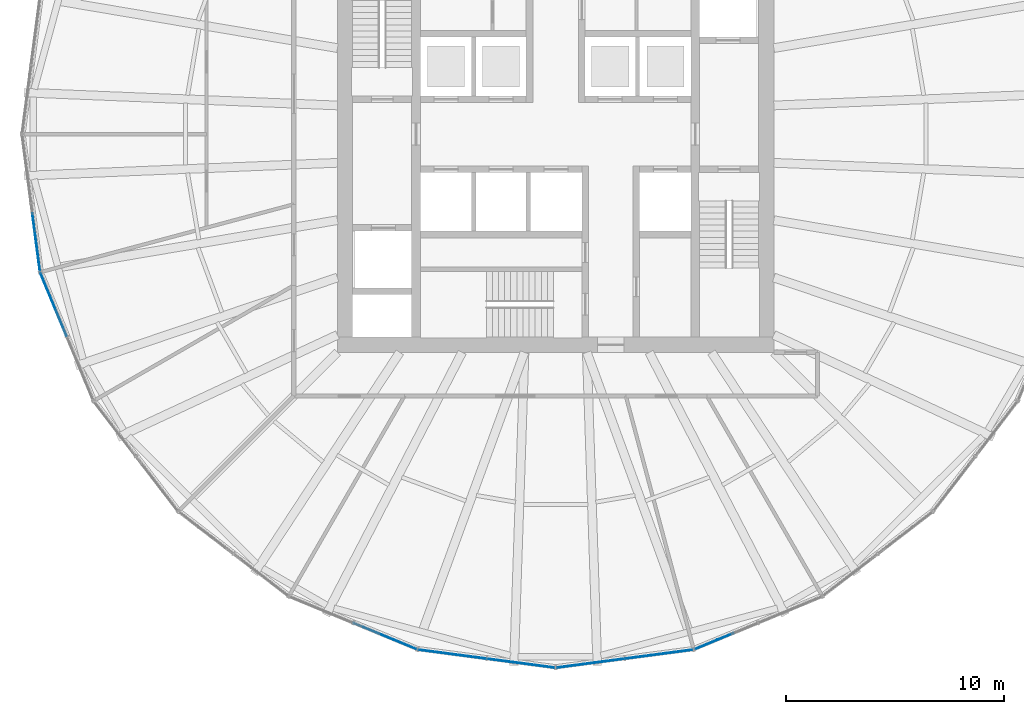
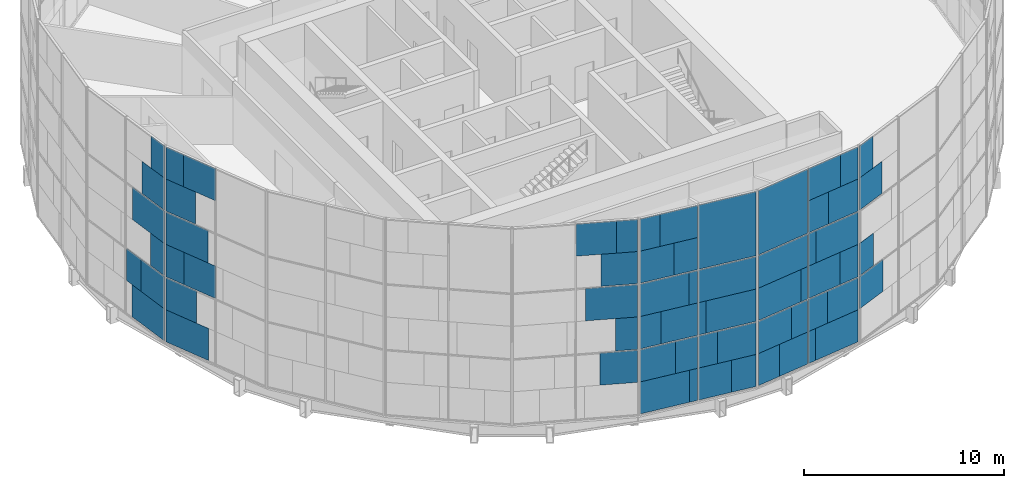
# One storey, part 10 of 22: 65 plates, 6 elements without a shape of their own.
"""IFC4 building model written with IfcOpenShell, lengths in metres."""

import ifcopenshell
import ifcopenshell.guid

model = None  # the IFC model being written
_history = None  # IfcOwnerHistory: only IFC2X3 demands one
_inside = {}  # id of a spatial element -> (the spatial element, [elements in it])
_under = {}  # id of a project, library or spatial element -> (it, [spatial elements below it])
_declared = {}  # id of a project -> (the project, [libraries it declares])
_typed = {}  # id of a type object -> (the type object, [elements of that type])
_made_of = {}  # id of a material, layer set ... -> (it, [elements and type objects made of it])


def new_model(schema):
    """Start an empty IFC model of exactly this schema.

    Asked for "IFC4X3", IfcOpenShell would pick the latest addendum, in which some entities
    have other attributes; the version numbers below select the first issue.
    IFC2X3 requires an IfcOwnerHistory on every rooted entity: one is made here for all.
    """
    global model, _history
    if schema == "IFC4X3":
        model = ifcopenshell.file(schema_version=(4, 3, 0, 0))
    else:
        model = ifcopenshell.file(schema=schema)
    _inside.clear()
    _under.clear()
    _declared.clear()
    _typed.clear()
    _made_of.clear()
    _history = None
    if model.schema == "IFC2X3":
        org = make("IfcOrganization", Name="unknown")
        user = make(
            "IfcPersonAndOrganization",
            ThePerson=make("IfcPerson", FamilyName="unknown"),
            TheOrganization=org,
        )
        app = make(
            "IfcApplication",
            ApplicationDeveloper=org,
            Version="unknown",
            ApplicationFullName="unknown",
            ApplicationIdentifier="unknown",
        )
        _history = make(
            "IfcOwnerHistory",
            OwningUser=user,
            OwningApplication=app,
            ChangeAction="ADDED",
            CreationDate=0,
        )
    return model


def make(cls, **values):
    """One entity of the class cls with the attributes given. An attribute that is None is left unset."""
    return model.create_entity(
        cls, **{name: value for name, value in values.items() if value is not None}
    )


def rooted(cls, **values):
    """An entity with a GlobalId (a new one), such as an element, a storey or a relation."""
    return make(cls, GlobalId=ifcopenshell.guid.new(), OwnerHistory=_history, **values)


def si_unit(unit_type, name, prefix=None):
    """IfcSIUnit, for example si_unit("LENGTHUNIT", "METRE", prefix="MILLI")."""
    return make("IfcSIUnit", UnitType=unit_type, Prefix=prefix, Name=name)


def assignment(units):
    """IfcUnitAssignment: the units of a project."""
    return None if units is None else make("IfcUnitAssignment", Units=units)


def point(xyz):
    """IfcCartesianPoint."""
    return None if xyz is None else make("IfcCartesianPoint", Coordinates=xyz)


def direction(xyz):
    """IfcDirection."""
    return None if xyz is None else make("IfcDirection", DirectionRatios=xyz)


def frame(location, z_axis=None, x_axis=None):
    """IfcAxis2Placement3D, a coordinate frame: its origin and axes. An axis left out is left unset."""
    return make(
        "IfcAxis2Placement3D",
        Location=point(location),
        Axis=direction(z_axis),
        RefDirection=direction(x_axis),
    )


def frame_2d(location, x_axis=None):
    """IfcAxis2Placement2D, a coordinate frame in the plane: its origin and x axis."""
    return make(
        "IfcAxis2Placement2D", Location=point(location), RefDirection=direction(x_axis)
    )


def origin():
    """The frame at (0, 0, 0) with its axes left unset."""
    return frame((0.0, 0.0, 0.0))


def origin_2d():
    """The frame at (0, 0) in the plane with its x axis left unset."""
    return frame_2d((0.0, 0.0))


def place(relative_to, where):
    """IfcLocalPlacement: puts the frame where relative to a parent placement (None: the world)."""
    return make(
        "IfcLocalPlacement", PlacementRelTo=relative_to, RelativePlacement=where
    )


def context(
    kind, dimensions, precision=None, world=None, true_north=None, identifier=None
):
    """IfcGeometricRepresentationContext, for example the 3D "Model" context."""
    return make(
        "IfcGeometricRepresentationContext",
        ContextIdentifier=identifier,
        ContextType=kind,
        CoordinateSpaceDimension=dimensions,
        Precision=precision,
        WorldCoordinateSystem=world,
        TrueNorth=true_north,
    )


def subcontext(parent, identifier, kind, view, scale=None):
    """IfcGeometricRepresentationSubContext, for example "Body" below "Model"."""
    return make(
        "IfcGeometricRepresentationSubContext",
        ContextIdentifier=identifier,
        ContextType=kind,
        ParentContext=parent,
        TargetScale=scale,
        TargetView=view,
    )


def project(units=None, contexts=None):
    """IfcProject with its units and contexts."""
    return rooted(
        "IfcProject",
        Name="project",
        RepresentationContexts=contexts,
        UnitsInContext=assignment(units),
    )


def spatial(cls, under=None, at=None, **own):
    """A site, building, storey or space (cls), placed at a placement, below another one or the project."""
    s = rooted(cls, ObjectPlacement=at, **own)
    if under is not None:
        _under.setdefault(under.id(), (under, []))[1].append(s)
    return s


def profile(cls, at=None, kind="AREA", **sizes):
    """A parametric profile (cls). Its sizes go by their IFC names, for example OverallWidth=200.0."""
    return make(cls, ProfileType=kind, Position=at, **sizes)


def rectangle(**sizes):
    """IfcRectangleProfileDef."""
    return profile("IfcRectangleProfileDef", **sizes)


def extrude(swept, where, along, depth):
    """IfcExtrudedAreaSolid: the profile swept, set in the frame where, extruded along a direction by depth."""
    return make(
        "IfcExtrudedAreaSolid",
        SweptArea=swept,
        Position=where,
        ExtrudedDirection=direction(along),
        Depth=depth,
    )


def shape(context_of_items, identifier, shape_type, items):
    """IfcShapeRepresentation: the items that make up one representation, for example the "Body"."""
    return make(
        "IfcShapeRepresentation",
        ContextOfItems=context_of_items,
        RepresentationIdentifier=identifier,
        RepresentationType=shape_type,
        Items=items,
    )


def material(Name=None, Category=None):
    """IfcMaterial."""
    return make("IfcMaterial", Name=Name, Category=Category)


def layer(
    of_material, thickness, ventilated=None, Name=None, Category=None, Priority=None
):
    """IfcMaterialLayer: one layer of a wall or slab, of a material (None: an air gap)."""
    return make(
        "IfcMaterialLayer",
        Material=of_material,
        LayerThickness=thickness,
        IsVentilated=ventilated,
        Name=Name,
        Category=Category,
        Priority=Priority,
    )


def layer_set(layers, Name=None):
    """IfcMaterialLayerSet."""
    return make("IfcMaterialLayerSet", MaterialLayers=layers, LayerSetName=Name)


def made_of(thing, what):
    """Note that an element or type object is made of a material, layer set ...; save() writes the relation."""
    if what is not None:
        _made_of.setdefault(what.id(), (what, []))[1].append(thing)
    return thing


def type_object(cls, material=None, **own):
    """A type object (cls), such as IfcWallType, which elements share."""
    return made_of(rooted(cls, **own), material)


def element(
    cls,
    number,
    at=None,
    inside=None,
    cuts=None,
    type_object=None,
    material=None,
    context=None,
    identifier="Body",
    shape_type=None,
    held_by="IfcProductDefinitionShape",
    body=None,
    shapes=None,
    **own,
):
    """One element of the class cls, such as IfcWall. Its Tag is "e" and its number.

    at: its placement. inside: the storey or other place that contains it. cuts: it is an
    opening in that element (IfcRelVoidsElement). A single representation is given by context,
    identifier, shape_type and body (its items); several are given by shapes. held_by: the class
    of the entity that holds the representations. save() writes the other relations.
    """
    e = rooted(cls, Tag="e%d" % number, ObjectPlacement=at, **own)
    if body is not None:
        shapes = [shape(context, identifier, shape_type, body)]
    if shapes is not None:
        e.Representation = make(held_by, Representations=shapes)
    if inside is not None:
        _inside.setdefault(inside.id(), (inside, []))[1].append(e)
    if cuts is not None:
        rooted(
            "IfcRelVoidsElement", RelatingBuildingElement=cuts, RelatedOpeningElement=e
        )
    if type_object is not None:
        _typed.setdefault(type_object.id(), (type_object, []))[1].append(e)
    return made_of(e, material)


def aggregate(whole, parts):
    """IfcRelAggregates: a whole, such as a stair, and the parts it consists of."""
    return rooted("IfcRelAggregates", RelatingObject=whole, RelatedObjects=parts)


def save(model, path):
    """Write the relations noted so far, then the file.

    IfcRelAggregates (storeys below a building ...), IfcRelContainedInSpatialStructure (elements
    in a storey), IfcRelDefinesByType, IfcRelAssociatesMaterial and IfcRelDeclares: one each for
    every whole, place, type object, material and project.
    """
    for whole, parts in _under.values():
        aggregate(whole, parts)
    for where, things in _inside.values():
        rooted(
            "IfcRelContainedInSpatialStructure",
            RelatedElements=things,
            RelatingStructure=where,
        )
    for kind, things in _typed.values():
        rooted("IfcRelDefinesByType", RelatedObjects=things, RelatingType=kind)
    for what, things in _made_of.values():
        rooted("IfcRelAssociatesMaterial", RelatedObjects=things, RelatingMaterial=what)
    for by, libraries in _declared.values():
        rooted("IfcRelDeclares", RelatingContext=by, RelatedDefinitions=libraries)
    model.write(path)


model = new_model("IFC4")

# Units and contexts
model_context = context("Model", 3, precision=1e-05, world=origin(), true_north=direction((0.0, 1.0)))
body_context = subcontext(model_context, "Body", "Model", "MODEL_VIEW")
ifc_project = project(units=[si_unit("LENGTHUNIT", "METRE"), si_unit("AREAUNIT", "SQUARE_METRE"), si_unit("VOLUMEUNIT", "CUBIC_METRE"), si_unit("PLANEANGLEUNIT", "RADIAN"), si_unit("MASSUNIT", "GRAM", prefix="KILO")], contexts=[model_context])

# Site, building, storey
site_placement = place(None, origin())
site = spatial("IfcSite", under=ifc_project, at=site_placement, CompositionType="ELEMENT")
building_placement = place(site_placement, origin())
building = spatial("IfcBuilding", under=site, at=building_placement, Name="Golbaran Civic Tower", CompositionType="ELEMENT")
storey_placement = place(building_placement, frame((0.0, 0.0, 90.0)))
storey = spatial("IfcBuildingStorey", under=building, at=storey_placement, Name="L21", CompositionType="ELEMENT", Elevation=90.0)

# Curtain wall, plates
ifc_material_1 = material(Name="Aluminium and glass", Category="aluminium")
curtain_wall_type = type_object("IfcCurtainWallType", Name="INNER SKIN CURTAIN WALL", PredefinedType="NOTDEFINED", material=ifc_material_1)
curtain_wall_1_placement = place(storey_placement, origin())
curtain_wall_1 = element("IfcCurtainWall", 1, at=curtain_wall_1_placement, inside=storey, type_object=curtain_wall_type, Name="Inner skin L21 facet 13 CW1", ObjectType="INNER SKIN", PredefinedType="USERDEFINED")
ifc_material_2 = material(Name="Clear insulating glass", Category="glass")
ifc_layer_1 = layer(ifc_material_2, 0.031982421875, Name="Clear insulating glass")
ifc_layer_set_1 = layer_set([ifc_layer_1], Name="Clear insulating glass")
plate_type_1 = type_object("IfcPlateType", Name="INNER SKIN CURTAIN WALL GLAZED PANEL", PredefinedType="CURTAIN_PANEL", material=ifc_layer_set_1)
plate_1_placement = place(storey_placement, frame((-23.809814453125, -4.9462890625, 0.06494140625), z_axis=(0.0, 0.0, 1.0), x_axis=(0.130526192203, -0.991444861376, 0.0)))
plate_1 = element("IfcPlate", 2, at=plate_1_placement, type_object=plate_type_1, Name="CW1 panel 2.1 part 2", PredefinedType="CURTAIN_PANEL", context=body_context, shape_type="SweptSolid", body=[
    extrude(rectangle(XDim=2.663330078125, YDim=0.031982421875, at=origin_2d()), origin(), (0.0, 0.0, 1.0), 1.951171875),
])
plate_2_placement = place(storey_placement, frame((-23.76025390625, -5.322021484375, 2.016357421875), z_axis=(0.0, 0.0, 1.0), x_axis=(0.130526192203, -0.991444861376, 0.0)))
plate_2 = element("IfcPlate", 3, at=plate_2_placement, type_object=plate_type_1, Name="CW1 panel 2.1 part 4", PredefinedType="CURTAIN_PANEL", context=body_context, shape_type="SweptSolid", body=[
    extrude(rectangle(XDim=1.9052734375, YDim=0.031982421875, at=origin_2d()), origin(), (0.0, 0.0, 1.0), 1.951171875),
])
plate_3_placement = place(storey_placement, frame((-23.708740234375, -5.713623046875, 4.03271484375), z_axis=(0.0, 0.0, 1.0), x_axis=(0.130526192203, -0.991444861376, 0.0)))
plate_3 = element("IfcPlate", 4, at=plate_3_placement, type_object=plate_type_1, Name="CW1 panel 2.2 part 2", PredefinedType="CURTAIN_PANEL", context=body_context, shape_type="SweptSolid", body=[
    extrude(rectangle(XDim=1.115234375, YDim=0.031982421875, at=origin_2d()), origin(), (0.0, 0.0, 1.0), 1.967529296875),
])

curtain_wall_2_placement = place(storey_placement, origin())
curtain_wall_2 = element("IfcCurtainWall", 5, at=curtain_wall_2_placement, inside=storey, type_object=curtain_wall_type, Name="Inner skin L21 facet 14 CW1", ObjectType="INNER SKIN", PredefinedType="USERDEFINED")
plate_4_placement = place(storey_placement, frame((-23.093017578125, -7.62109375, 0.06494140625), z_axis=(0.0, 0.0, 1.0), x_axis=(0.382683432365, -0.923879532511, 0.0)))
plate_4 = element("IfcPlate", 6, at=plate_4_placement, type_object=plate_type_1, Name="CW1 panel 1.1 part 1", PredefinedType="CURTAIN_PANEL", context=body_context, shape_type="SweptSolid", body=[
    extrude(rectangle(XDim=2.6630859375, YDim=0.031982421875, at=origin_2d()), origin(), (0.0, 0.0, 1.0), 1.951171875),
])
plate_5_placement = place(storey_placement, frame((-23.238037109375, -7.27099609375, 2.016357421875), z_axis=(0.0, 0.0, 1.0), x_axis=(0.382683432365, -0.923879532511, 0.0)))
plate_5 = element("IfcPlate", 7, at=plate_5_placement, type_object=plate_type_1, Name="CW1 panel 1.1 part 3", PredefinedType="CURTAIN_PANEL", context=body_context, shape_type="SweptSolid", body=[
    extrude(rectangle(XDim=1.905029296875, YDim=0.031982421875, at=origin_2d()), origin(), (0.0, 0.0, 1.0), 1.951171875),
])
plate_6_placement = place(storey_placement, frame((-23.38916015625, -6.906494140625, 4.03271484375), z_axis=(0.0, 0.0, 1.0), x_axis=(0.382683432365, -0.923879532511, 0.0)))
plate_6 = element("IfcPlate", 8, at=plate_6_placement, type_object=plate_type_1, Name="CW1 panel 1.2 part 1", PredefinedType="CURTAIN_PANEL", context=body_context, shape_type="SweptSolid", body=[
    extrude(rectangle(XDim=1.115966796875, YDim=0.031982421875, at=origin_2d()), origin(), (0.0, 0.0, 1.0), 1.967529296875),
])
plate_7_placement = place(storey_placement, frame((-22.804443359375, -8.31787109375, 9.98388671875), z_axis=(0.0, 0.0, 1.0), x_axis=(0.382683432365, -0.923879532511, 0.0)))
plate_7 = element("IfcPlate", 9, at=plate_7_placement, type_object=plate_type_1, Name="CW1 panel 1.3 part 4", PredefinedType="CURTAIN_PANEL", context=body_context, shape_type="SweptSolid", body=[
    extrude(rectangle(XDim=2.019287109375, YDim=0.031982421875, at=origin_2d()), origin(), (0.0, 0.0, 1.0), 1.951171875),
])

curtain_wall_3_placement = place(storey_placement, origin())
curtain_wall_3 = element("IfcCurtainWall", 10, at=curtain_wall_3_placement, inside=storey, type_object=curtain_wall_type, Name="Inner skin L21 facet 17 CW1", ObjectType="INNER SKIN", PredefinedType="USERDEFINED")
plate_8_placement = place(storey_placement, frame((-7.271240234375, -23.238037109375, 2.016357421875), z_axis=(0.0, 0.0, 1.0), x_axis=(0.923879532511, -0.382683432365, 0.0)))
plate_8 = element("IfcPlate", 11, at=plate_8_placement, type_object=plate_type_1, Name="CW1 panel 2.1 part 4", PredefinedType="CURTAIN_PANEL", context=body_context, shape_type="SweptSolid", body=[
    extrude(rectangle(XDim=1.9052734375, YDim=0.031982421875, at=origin_2d()), origin(), (0.0, 0.0, 1.0), 1.951171875),
])
plate_9_placement = place(storey_placement, frame((-6.90625, -23.38916015625, 4.03271484375), z_axis=(0.0, 0.0, 1.0), x_axis=(0.923879532511, -0.382683432365, 0.0)))
plate_9 = element("IfcPlate", 12, at=plate_9_placement, type_object=plate_type_1, Name="CW1 panel 2.2 part 2", PredefinedType="CURTAIN_PANEL", context=body_context, shape_type="SweptSolid", body=[
    extrude(rectangle(XDim=1.115234375, YDim=0.031982421875, at=origin_2d()), origin(), (0.0, 0.0, 1.0), 1.967529296875),
])
plate_10_placement = place(storey_placement, frame((-8.317626953125, -22.8046875, 9.98388671875), z_axis=(0.0, 0.0, 1.0), x_axis=(0.923879532511, -0.382683432365, 0.0)))
plate_10 = element("IfcPlate", 13, at=plate_10_placement, type_object=plate_type_1, Name="CW1 panel 2.3 part 3", PredefinedType="CURTAIN_PANEL", context=body_context, shape_type="SweptSolid", body=[
    extrude(rectangle(XDim=2.02001953125, YDim=0.031982421875, at=origin_2d()), origin(), (0.0, 0.0, 1.0), 1.951171875),
])

curtain_wall_4_placement = place(storey_placement, origin())
curtain_wall_4 = element("IfcCurtainWall", 14, at=curtain_wall_4_placement, inside=storey, type_object=curtain_wall_type, Name="Inner skin L21 facet 18 CW1", ObjectType="INNER SKIN", PredefinedType="USERDEFINED")
plate_11_placement = place(storey_placement, frame((-4.946533203125, -23.809814453125, 0.06494140625), z_axis=(0.0, 0.0, 1.0), x_axis=(0.991444861376, -0.130526192203, 0.0)))
plate_11 = element("IfcPlate", 15, at=plate_11_placement, type_object=plate_type_1, Name="CW1 panel 1.1 part 1", PredefinedType="CURTAIN_PANEL", context=body_context, shape_type="SweptSolid", body=[
    extrude(rectangle(XDim=2.6630859375, YDim=0.031982421875, at=origin_2d()), origin(), (0.0, 0.0, 1.0), 1.951171875),
])
plate_12_placement = place(storey_placement, frame((-5.322265625, -23.76025390625, 2.016357421875), z_axis=(0.0, 0.0, 1.0), x_axis=(0.991444861376, -0.130526192203, 0.0)))
plate_12 = element("IfcPlate", 16, at=plate_12_placement, type_object=plate_type_1, Name="CW1 panel 1.1 part 3", PredefinedType="CURTAIN_PANEL", context=body_context, shape_type="SweptSolid", body=[
    extrude(rectangle(XDim=1.905029296875, YDim=0.031982421875, at=origin_2d()), origin(), (0.0, 0.0, 1.0), 1.951171875),
])
plate_13_placement = place(storey_placement, frame((-5.71337890625, -23.708740234375, 4.03271484375), z_axis=(0.0, 0.0, 1.0), x_axis=(0.991444861376, -0.130526192203, 0.0)))
plate_13 = element("IfcPlate", 17, at=plate_13_placement, type_object=plate_type_1, Name="CW1 panel 1.2 part 1", PredefinedType="CURTAIN_PANEL", context=body_context, shape_type="SweptSolid", body=[
    extrude(rectangle(XDim=1.115966796875, YDim=0.031982421875, at=origin_2d()), origin(), (0.0, 0.0, 1.0), 1.967529296875),
])
plate_14_placement = place(storey_placement, frame((-3.431396484375, -24.00927734375, 6.0), z_axis=(0.0, 0.0, 1.0), x_axis=(0.991444861376, -0.130526192203, 0.0)))
plate_14 = element("IfcPlate", 18, at=plate_14_placement, type_object=plate_type_1, Name="CW1 panel 1.2 part 4", PredefinedType="CURTAIN_PANEL", context=body_context, shape_type="SweptSolid", body=[
    extrude(rectangle(XDim=0.47119140625, YDim=0.031982421875, at=origin_2d()), origin(), (0.0, 0.0, 1.0), 1.967529296875),
])
plate_15_placement = place(storey_placement, frame((-3.822998046875, -23.957763671875, 8.032470703125), z_axis=(0.0, 0.0, 1.0), x_axis=(0.991444861376, -0.130526192203, 0.0)))
plate_15 = element("IfcPlate", 19, at=plate_15_placement, type_object=plate_type_1, Name="CW1 panel 1.3 part 2", PredefinedType="CURTAIN_PANEL", context=body_context, shape_type="SweptSolid", body=[
    extrude(rectangle(XDim=1.26123046875, YDim=0.031982421875, at=origin_2d()), origin(), (0.0, 0.0, 1.0), 1.951171875),
])
plate_16_placement = place(storey_placement, frame((-4.19873046875, -23.908203125, 9.98388671875), z_axis=(0.0, 0.0, 1.0), x_axis=(0.991444861376, -0.130526192203, 0.0)))
plate_16 = element("IfcPlate", 20, at=plate_16_placement, type_object=plate_type_1, Name="CW1 panel 1.3 part 4", PredefinedType="CURTAIN_PANEL", context=body_context, shape_type="SweptSolid", body=[
    extrude(rectangle(XDim=2.019287109375, YDim=0.031982421875, at=origin_2d()), origin(), (0.0, 0.0, 1.0), 1.951171875),
])
plate_17_placement = place(storey_placement, frame((-0.721923828125, -24.365966796875, 0.06494140625), z_axis=(0.0, 0.0, 1.0), x_axis=(0.991444861376, -0.130526192203, 0.0)))
plate_17 = element("IfcPlate", 21, at=plate_17_placement, type_object=plate_type_1, Name="CW1 panel 2.1 part 2", PredefinedType="CURTAIN_PANEL", context=body_context, shape_type="SweptSolid", body=[
    extrude(rectangle(XDim=1.326416015625, YDim=0.031982421875, at=origin_2d()), origin(), (0.0, 0.0, 1.0), 1.951171875),
])
plate_18_placement = place(storey_placement, frame((-1.09765625, -24.31640625, 2.016357421875), z_axis=(0.0, 0.0, 1.0), x_axis=(0.991444861376, -0.130526192203, 0.0)))
plate_18 = element("IfcPlate", 22, at=plate_18_placement, type_object=plate_type_1, Name="CW1 panel 2.1 part 4", PredefinedType="CURTAIN_PANEL", context=body_context, shape_type="SweptSolid", body=[
    extrude(rectangle(XDim=2.084228515625, YDim=0.031982421875, at=origin_2d()), origin(), (0.0, 0.0, 1.0), 1.951171875),
])
plate_19_placement = place(storey_placement, frame((-1.400634765625, -24.276611328125, 4.03271484375), z_axis=(0.0, 0.0, 1.0), x_axis=(0.991444861376, -0.130526192203, 0.0)))
plate_19 = element("IfcPlate", 23, at=plate_19_placement, type_object=plate_type_1, Name="CW1 panel 2.2 part 2", PredefinedType="CURTAIN_PANEL", context=body_context, shape_type="SweptSolid", body=[
    extrude(rectangle(XDim=2.6953125, YDim=0.031982421875, at=origin_2d()), origin(), (0.0, 0.0, 1.0), 1.967529296875),
])
plate_20_placement = place(storey_placement, frame((-1.598876953125, -24.25048828125, 6.0), z_axis=(0.0, 0.0, 1.0), x_axis=(0.991444861376, -0.130526192203, 0.0)))
plate_20 = element("IfcPlate", 24, at=plate_20_placement, type_object=plate_type_1, Name="CW1 panel 2.2 part 3", PredefinedType="CURTAIN_PANEL", context=body_context, shape_type="SweptSolid", body=[
    extrude(rectangle(XDim=3.09521484375, YDim=0.031982421875, at=origin_2d()), origin(), (0.0, 0.0, 1.0), 1.967529296875),
])
plate_21_placement = place(storey_placement, frame((-1.598876953125, -24.25048828125, 8.0322265625), z_axis=(0.0, 0.0, 1.0), x_axis=(0.991444861376, -0.130526192203, 0.0)))
plate_21 = element("IfcPlate", 25, at=plate_21_placement, type_object=plate_type_1, Name="CW1 panel 2.3", PredefinedType="CURTAIN_PANEL", context=body_context, shape_type="SweptSolid", body=[
    extrude(rectangle(XDim=3.09521484375, YDim=0.031982421875, at=origin_2d()), origin(), (0.0, 0.0, 1.0), 3.902587890625),
])

curtain_wall_5_placement = place(storey_placement, origin())
curtain_wall_5 = element("IfcCurtainWall", 26, at=curtain_wall_5_placement, inside=storey, type_object=curtain_wall_type, Name="Inner skin L21 facet 19 CW1", ObjectType="INNER SKIN", PredefinedType="USERDEFINED")
plate_22_placement = place(storey_placement, frame((0.7216796875, -24.365966796875, 0.06494140625), z_axis=(0.0, 0.0, 1.0), x_axis=(0.991444861376, 0.130526192203, 0.0)))
plate_22 = element("IfcPlate", 27, at=plate_22_placement, type_object=plate_type_1, Name="CW1 panel 1.1 part 1", PredefinedType="CURTAIN_PANEL", context=body_context, shape_type="SweptSolid", body=[
    extrude(rectangle(XDim=1.325927734375, YDim=0.031982421875, at=origin_2d()), origin(), (0.0, 0.0, 1.0), 1.951171875),
])
plate_23_placement = place(storey_placement, frame((1.097412109375, -24.31640625, 2.016357421875), z_axis=(0.0, 0.0, 1.0), x_axis=(0.991444861376, 0.130526192203, 0.0)))
plate_23 = element("IfcPlate", 28, at=plate_23_placement, type_object=plate_type_1, Name="CW1 panel 1.1 part 3", PredefinedType="CURTAIN_PANEL", context=body_context, shape_type="SweptSolid", body=[
    extrude(rectangle(XDim=2.083984375, YDim=0.031982421875, at=origin_2d()), origin(), (0.0, 0.0, 1.0), 1.951171875),
])
plate_24_placement = place(storey_placement, frame((1.39990234375, -24.276611328125, 4.03271484375), z_axis=(0.0, 0.0, 1.0), x_axis=(0.991444861376, 0.130526192203, 0.0)))
plate_24 = element("IfcPlate", 29, at=plate_24_placement, type_object=plate_type_1, Name="CW1 panel 1.2 part 1", PredefinedType="CURTAIN_PANEL", context=body_context, shape_type="SweptSolid", body=[
    extrude(rectangle(XDim=2.694091796875, YDim=0.031982421875, at=origin_2d()), origin(), (0.0, 0.0, 1.0), 1.967529296875),
])
plate_25_placement = place(storey_placement, frame((1.598876953125, -24.25048828125, 6.0), z_axis=(0.0, 0.0, 1.0), x_axis=(0.991444861376, 0.130526192203, 0.0)))
plate_25 = element("IfcPlate", 30, at=plate_25_placement, type_object=plate_type_1, Name="CW1 panel 1.2 part 3", PredefinedType="CURTAIN_PANEL", context=body_context, shape_type="SweptSolid", body=[
    extrude(rectangle(XDim=3.09521484375, YDim=0.031982421875, at=origin_2d()), origin(), (0.0, 0.0, 1.0), 1.967529296875),
])
plate_26_placement = place(storey_placement, frame((1.598876953125, -24.25048828125, 8.0322265625), z_axis=(0.0, 0.0, 1.0), x_axis=(0.991444861376, 0.130526192203, 0.0)))
plate_26 = element("IfcPlate", 31, at=plate_26_placement, type_object=plate_type_1, Name="CW1 panel 1.3", PredefinedType="CURTAIN_PANEL", context=body_context, shape_type="SweptSolid", body=[
    extrude(rectangle(XDim=3.09521484375, YDim=0.031982421875, at=origin_2d()), origin(), (0.0, 0.0, 1.0), 3.902587890625),
])
plate_27_placement = place(storey_placement, frame((4.9462890625, -23.809814453125, 0.06494140625), z_axis=(0.0, 0.0, 1.0), x_axis=(0.991444861376, 0.130526192203, 0.0)))
plate_27 = element("IfcPlate", 32, at=plate_27_placement, type_object=plate_type_1, Name="CW1 panel 2.1 part 2", PredefinedType="CURTAIN_PANEL", context=body_context, shape_type="SweptSolid", body=[
    extrude(rectangle(XDim=2.663330078125, YDim=0.031982421875, at=origin_2d()), origin(), (0.0, 0.0, 1.0), 1.951171875),
])
plate_28_placement = place(storey_placement, frame((5.322021484375, -23.76025390625, 2.016357421875), z_axis=(0.0, 0.0, 1.0), x_axis=(0.991444861376, 0.130526192203, 0.0)))
plate_28 = element("IfcPlate", 33, at=plate_28_placement, type_object=plate_type_1, Name="CW1 panel 2.1 part 4", PredefinedType="CURTAIN_PANEL", context=body_context, shape_type="SweptSolid", body=[
    extrude(rectangle(XDim=1.9052734375, YDim=0.031982421875, at=origin_2d()), origin(), (0.0, 0.0, 1.0), 1.951171875),
])
plate_29_placement = place(storey_placement, frame((5.713623046875, -23.708740234375, 4.03271484375), z_axis=(0.0, 0.0, 1.0), x_axis=(0.991444861376, 0.130526192203, 0.0)))
plate_29 = element("IfcPlate", 34, at=plate_29_placement, type_object=plate_type_1, Name="CW1 panel 2.2 part 2", PredefinedType="CURTAIN_PANEL", context=body_context, shape_type="SweptSolid", body=[
    extrude(rectangle(XDim=1.115234375, YDim=0.031982421875, at=origin_2d()), origin(), (0.0, 0.0, 1.0), 1.967529296875),
])
plate_30_placement = place(storey_placement, frame((3.43115234375, -24.00927734375, 6.0), z_axis=(0.0, 0.0, 1.0), x_axis=(0.991444861376, 0.130526192203, 0.0)))
plate_30 = element("IfcPlate", 35, at=plate_30_placement, type_object=plate_type_1, Name="CW1 panel 2.2 part 3", PredefinedType="CURTAIN_PANEL", context=body_context, shape_type="SweptSolid", body=[
    extrude(rectangle(XDim=0.470947265625, YDim=0.031982421875, at=origin_2d()), origin(), (0.0, 0.0, 1.0), 1.967529296875),
])
plate_31_placement = place(storey_placement, frame((3.82275390625, -23.957763671875, 8.032470703125), z_axis=(0.0, 0.0, 1.0), x_axis=(0.991444861376, 0.130526192203, 0.0)))
plate_31 = element("IfcPlate", 36, at=plate_31_placement, type_object=plate_type_1, Name="CW1 panel 2.3 part 1", PredefinedType="CURTAIN_PANEL", context=body_context, shape_type="SweptSolid", body=[
    extrude(rectangle(XDim=1.260986328125, YDim=0.031982421875, at=origin_2d()), origin(), (0.0, 0.0, 1.0), 1.951171875),
])
plate_32_placement = place(storey_placement, frame((4.198974609375, -23.908203125, 9.98388671875), z_axis=(0.0, 0.0, 1.0), x_axis=(0.991444861376, 0.130526192203, 0.0)))
plate_32 = element("IfcPlate", 37, at=plate_32_placement, type_object=plate_type_1, Name="CW1 panel 2.3 part 3", PredefinedType="CURTAIN_PANEL", context=body_context, shape_type="SweptSolid", body=[
    extrude(rectangle(XDim=2.02001953125, YDim=0.031982421875, at=origin_2d()), origin(), (0.0, 0.0, 1.0), 1.951171875),
])

curtain_wall_6_placement = place(storey_placement, origin())
curtain_wall_6 = element("IfcCurtainWall", 38, at=curtain_wall_6_placement, inside=storey, type_object=curtain_wall_type, Name="Inner skin L21 facet 20 CW1", ObjectType="INNER SKIN", PredefinedType="USERDEFINED")
plate_33_placement = place(storey_placement, frame((7.27099609375, -23.238037109375, 2.016357421875), z_axis=(0.0, 0.0, 1.0), x_axis=(0.923879532511, 0.382683432365, 0.0)))
plate_33 = element("IfcPlate", 39, at=plate_33_placement, type_object=plate_type_1, Name="CW1 panel 1.1 part 3", PredefinedType="CURTAIN_PANEL", context=body_context, shape_type="SweptSolid", body=[
    extrude(rectangle(XDim=1.905029296875, YDim=0.031982421875, at=origin_2d()), origin(), (0.0, 0.0, 1.0), 1.951171875),
])
plate_34_placement = place(storey_placement, frame((6.906494140625, -23.38916015625, 4.03271484375), z_axis=(0.0, 0.0, 1.0), x_axis=(0.923879532511, 0.382683432365, 0.0)))
plate_34 = element("IfcPlate", 40, at=plate_34_placement, type_object=plate_type_1, Name="CW1 panel 1.2 part 1", PredefinedType="CURTAIN_PANEL", context=body_context, shape_type="SweptSolid", body=[
    extrude(rectangle(XDim=1.115966796875, YDim=0.031982421875, at=origin_2d()), origin(), (0.0, 0.0, 1.0), 1.967529296875),
])

# Plate
ifc_material_3 = material(Name="Aluminium faced opaque infill panel", Category="aluminium")
ifc_layer_2 = layer(ifc_material_3, 0.031982421875, Name="Aluminium faced opaque infill panel")
ifc_layer_set_2 = layer_set([ifc_layer_2], Name="Aluminium faced opaque infill panel")
plate_type_2 = type_object("IfcPlateType", Name="INNER SKIN CURTAIN WALL OPAQUE INFILL PANEL", PredefinedType="CURTAIN_PANEL", material=ifc_layer_set_2)
plate_35_placement = place(storey_placement, frame((-23.96240234375, -3.78759765625, 2.016357421875), z_axis=(0.0, 0.0, 1.0), x_axis=(0.130526192203, -0.991444861376, 0.0)))
plate_35 = element("IfcPlate", 41, at=plate_35_placement, type_object=plate_type_2, Name="CW1 infill panel 2.1 part 3", PredefinedType="CURTAIN_PANEL", context=body_context, shape_type="SweptSolid", body=[
    extrude(rectangle(XDim=1.18994140625, YDim=0.031982421875, at=origin_2d()), origin(), (0.0, 0.0, 1.0), 1.951171875),
])

plate_36_placement = place(storey_placement, frame((-23.807373046875, -4.965576171875, 6.0), z_axis=(0.0, 0.0, 1.0), x_axis=(0.130526192203, -0.991444861376, 0.0)))
plate_36 = element("IfcPlate", 42, at=plate_36_placement, type_object=plate_type_2, Name="CW1 infill panel 2.2 part 4", PredefinedType="CURTAIN_PANEL", context=body_context, shape_type="SweptSolid", body=[
    extrude(rectangle(XDim=2.624267578125, YDim=0.031982421875, at=origin_2d()), origin(), (0.0, 0.0, 1.0), 1.967529296875),
])

plate_37_placement = place(storey_placement, frame((-23.755615234375, -5.357177734375, 8.032470703125), z_axis=(0.0, 0.0, 1.0), x_axis=(0.130526192203, -0.991444861376, 0.0)))
plate_37 = element("IfcPlate", 43, at=plate_37_placement, type_object=plate_type_2, Name="CW1 infill panel 2.3 part 2", PredefinedType="CURTAIN_PANEL", context=body_context, shape_type="SweptSolid", body=[
    extrude(rectangle(XDim=1.834228515625, YDim=0.031982421875, at=origin_2d()), origin(), (0.0, 0.0, 1.0), 1.951171875),
])

plate_38_placement = place(storey_placement, frame((-23.7060546875, -5.7333984375, 9.98388671875), z_axis=(0.0, 0.0, 1.0), x_axis=(0.130526192203, -0.991444861376, 0.0)))
plate_38 = element("IfcPlate", 44, at=plate_38_placement, type_object=plate_type_2, Name="CW1 infill panel 2.3 part 4", PredefinedType="CURTAIN_PANEL", context=body_context, shape_type="SweptSolid", body=[
    extrude(rectangle(XDim=1.0751953125, YDim=0.031982421875, at=origin_2d()), origin(), (0.0, 0.0, 1.0), 1.951171875),
])

aggregate(curtain_wall_1, [plate_1, plate_35, plate_2, plate_3, plate_36, plate_37, plate_38])

plate_39_placement = place(storey_placement, frame((-22.796875, -8.33642578125, 4.03271484375), z_axis=(0.0, 0.0, 1.0), x_axis=(0.382683432365, -0.923879532511, 0.0)))
plate_39 = element("IfcPlate", 45, at=plate_39_placement, type_object=plate_type_2, Name="CW1 infill panel 1.2 part 2", PredefinedType="CURTAIN_PANEL", context=body_context, shape_type="SweptSolid", body=[
    extrude(rectangle(XDim=1.979248046875, YDim=0.031982421875, at=origin_2d()), origin(), (0.0, 0.0, 1.0), 1.967529296875),
])

plate_40_placement = place(storey_placement, frame((-23.1005859375, -7.603271484375, 6.0), z_axis=(0.0, 0.0, 1.0), x_axis=(0.382683432365, -0.923879532511, 0.0)))
plate_40 = element("IfcPlate", 46, at=plate_40_placement, type_object=plate_type_2, Name="CW1 infill panel 1.2 part 3", PredefinedType="CURTAIN_PANEL", context=body_context, shape_type="SweptSolid", body=[
    extrude(rectangle(XDim=2.6240234375, YDim=0.031982421875, at=origin_2d()), origin(), (0.0, 0.0, 1.0), 1.967529296875),
])

plate_41_placement = place(storey_placement, frame((-23.251708984375, -7.23828125, 8.032470703125), z_axis=(0.0, 0.0, 1.0), x_axis=(0.382683432365, -0.923879532511, 0.0)))
plate_41 = element("IfcPlate", 47, at=plate_41_placement, type_object=plate_type_2, Name="CW1 infill panel 1.3 part 1", PredefinedType="CURTAIN_PANEL", context=body_context, shape_type="SweptSolid", body=[
    extrude(rectangle(XDim=1.833984375, YDim=0.031982421875, at=origin_2d()), origin(), (0.0, 0.0, 1.0), 1.951171875),
])

plate_42_placement = place(storey_placement, frame((-23.396728515625, -6.88818359375, 9.98388671875), z_axis=(0.0, 0.0, 1.0), x_axis=(0.382683432365, -0.923879532511, 0.0)))
plate_42 = element("IfcPlate", 48, at=plate_42_placement, type_object=plate_type_2, Name="CW1 infill panel 1.3 part 3", PredefinedType="CURTAIN_PANEL", context=body_context, shape_type="SweptSolid", body=[
    extrude(rectangle(XDim=1.075927734375, YDim=0.031982421875, at=origin_2d()), origin(), (0.0, 0.0, 1.0), 1.951171875),
])

aggregate(curtain_wall_2, [plate_4, plate_5, plate_6, plate_39, plate_40, plate_41, plate_42, plate_7])

plate_43_placement = place(storey_placement, frame((-7.603271484375, -23.1005859375, 6.0), z_axis=(0.0, 0.0, 1.0), x_axis=(0.923879532511, -0.382683432365, 0.0)))
plate_43 = element("IfcPlate", 49, at=plate_43_placement, type_object=plate_type_2, Name="CW1 infill panel 2.2 part 4", PredefinedType="CURTAIN_PANEL", context=body_context, shape_type="SweptSolid", body=[
    extrude(rectangle(XDim=2.624267578125, YDim=0.031982421875, at=origin_2d()), origin(), (0.0, 0.0, 1.0), 1.967529296875),
])

plate_44_placement = place(storey_placement, frame((-7.23828125, -23.251708984375, 8.032470703125), z_axis=(0.0, 0.0, 1.0), x_axis=(0.923879532511, -0.382683432365, 0.0)))
plate_44 = element("IfcPlate", 50, at=plate_44_placement, type_object=plate_type_2, Name="CW1 infill panel 2.3 part 2", PredefinedType="CURTAIN_PANEL", context=body_context, shape_type="SweptSolid", body=[
    extrude(rectangle(XDim=1.834228515625, YDim=0.031982421875, at=origin_2d()), origin(), (0.0, 0.0, 1.0), 1.951171875),
])

plate_45_placement = place(storey_placement, frame((-6.8876953125, -23.39697265625, 9.98388671875), z_axis=(0.0, 0.0, 1.0), x_axis=(0.923879532511, -0.382683432365, 0.0)))
plate_45 = element("IfcPlate", 51, at=plate_45_placement, type_object=plate_type_2, Name="CW1 infill panel 2.3 part 4", PredefinedType="CURTAIN_PANEL", context=body_context, shape_type="SweptSolid", body=[
    extrude(rectangle(XDim=1.0751953125, YDim=0.031982421875, at=origin_2d()), origin(), (0.0, 0.0, 1.0), 1.951171875),
])

aggregate(curtain_wall_3, [plate_8, plate_9, plate_43, plate_44, plate_10, plate_45])

plate_46_placement = place(storey_placement, frame((-3.412109375, -24.01171875, 0.06494140625), z_axis=(0.0, 0.0, 1.0), x_axis=(0.991444861376, -0.130526192203, 0.0)))
plate_46 = element("IfcPlate", 52, at=plate_46_placement, type_object=plate_type_2, Name="CW1 infill panel 1.1 part 2", PredefinedType="CURTAIN_PANEL", context=body_context, shape_type="SweptSolid", body=[
    extrude(rectangle(XDim=0.432373046875, YDim=0.031982421875, at=origin_2d()), origin(), (0.0, 0.0, 1.0), 1.951171875),
])

plate_47_placement = place(storey_placement, frame((-3.787841796875, -23.96240234375, 2.016357421875), z_axis=(0.0, 0.0, 1.0), x_axis=(0.991444861376, -0.130526192203, 0.0)))
plate_47 = element("IfcPlate", 53, at=plate_47_placement, type_object=plate_type_2, Name="CW1 infill panel 1.1 part 4", PredefinedType="CURTAIN_PANEL", context=body_context, shape_type="SweptSolid", body=[
    extrude(rectangle(XDim=1.190185546875, YDim=0.031982421875, at=origin_2d()), origin(), (0.0, 0.0, 1.0), 1.951171875),
])

plate_48_placement = place(storey_placement, frame((-4.178955078125, -23.910888671875, 4.03271484375), z_axis=(0.0, 0.0, 1.0), x_axis=(0.991444861376, -0.130526192203, 0.0)))
plate_48 = element("IfcPlate", 54, at=plate_48_placement, type_object=plate_type_2, Name="CW1 infill panel 1.2 part 2", PredefinedType="CURTAIN_PANEL", context=body_context, shape_type="SweptSolid", body=[
    extrude(rectangle(XDim=1.979248046875, YDim=0.031982421875, at=origin_2d()), origin(), (0.0, 0.0, 1.0), 1.967529296875),
])

plate_49_placement = place(storey_placement, frame((-4.9658203125, -23.80712890625, 6.0), z_axis=(0.0, 0.0, 1.0), x_axis=(0.991444861376, -0.130526192203, 0.0)))
plate_49 = element("IfcPlate", 55, at=plate_49_placement, type_object=plate_type_2, Name="CW1 infill panel 1.2 part 3", PredefinedType="CURTAIN_PANEL", context=body_context, shape_type="SweptSolid", body=[
    extrude(rectangle(XDim=2.6240234375, YDim=0.031982421875, at=origin_2d()), origin(), (0.0, 0.0, 1.0), 1.967529296875),
])

plate_50_placement = place(storey_placement, frame((-5.357421875, -23.755615234375, 8.032470703125), z_axis=(0.0, 0.0, 1.0), x_axis=(0.991444861376, -0.130526192203, 0.0)))
plate_50 = element("IfcPlate", 56, at=plate_50_placement, type_object=plate_type_2, Name="CW1 infill panel 1.3 part 1", PredefinedType="CURTAIN_PANEL", context=body_context, shape_type="SweptSolid", body=[
    extrude(rectangle(XDim=1.833984375, YDim=0.031982421875, at=origin_2d()), origin(), (0.0, 0.0, 1.0), 1.951171875),
])

plate_51_placement = place(storey_placement, frame((-5.733154296875, -23.706298828125, 9.98388671875), z_axis=(0.0, 0.0, 1.0), x_axis=(0.991444861376, -0.130526192203, 0.0)))
plate_51 = element("IfcPlate", 57, at=plate_51_placement, type_object=plate_type_2, Name="CW1 infill panel 1.3 part 3", PredefinedType="CURTAIN_PANEL", context=body_context, shape_type="SweptSolid", body=[
    extrude(rectangle(XDim=1.075927734375, YDim=0.031982421875, at=origin_2d()), origin(), (0.0, 0.0, 1.0), 1.951171875),
])

plate_52_placement = place(storey_placement, frame((-2.25634765625, -24.1640625, 0.06494140625), z_axis=(0.0, 0.0, 1.0), x_axis=(0.991444861376, -0.130526192203, 0.0)))
plate_52 = element("IfcPlate", 58, at=plate_52_placement, type_object=plate_type_2, Name="CW1 infill panel 2.1 part 1", PredefinedType="CURTAIN_PANEL", context=body_context, shape_type="SweptSolid", body=[
    extrude(rectangle(XDim=1.76904296875, YDim=0.031982421875, at=origin_2d()), origin(), (0.0, 0.0, 1.0), 1.951171875),
])

plate_53_placement = place(storey_placement, frame((-2.632080078125, -24.114501953125, 2.016357421875), z_axis=(0.0, 0.0, 1.0), x_axis=(0.991444861376, -0.130526192203, 0.0)))
plate_53 = element("IfcPlate", 59, at=plate_53_placement, type_object=plate_type_2, Name="CW1 infill panel 2.1 part 3", PredefinedType="CURTAIN_PANEL", context=body_context, shape_type="SweptSolid", body=[
    extrude(rectangle(XDim=1.010986328125, YDim=0.031982421875, at=origin_2d()), origin(), (0.0, 0.0, 1.0), 1.951171875),
])

plate_54_placement = place(storey_placement, frame((-2.93505859375, -24.07470703125, 4.03271484375), z_axis=(0.0, 0.0, 1.0), x_axis=(0.991444861376, -0.130526192203, 0.0)))
plate_54 = element("IfcPlate", 60, at=plate_54_placement, type_object=plate_type_2, Name="CW1 infill panel 2.2 part 1", PredefinedType="CURTAIN_PANEL", context=body_context, shape_type="SweptSolid", body=[
    extrude(rectangle(XDim=0.39990234375, YDim=0.031982421875, at=origin_2d()), origin(), (0.0, 0.0, 1.0), 1.967529296875),
])

aggregate(curtain_wall_4, [plate_11, plate_46, plate_12, plate_47, plate_13, plate_48, plate_49, plate_14, plate_50, plate_15, plate_51, plate_16, plate_52, plate_17, plate_53, plate_18, plate_54, plate_19, plate_20, plate_21])

plate_55_placement = place(storey_placement, frame((2.256103515625, -24.1640625, 0.06494140625), z_axis=(0.0, 0.0, 1.0), x_axis=(0.991444861376, 0.130526192203, 0.0)))
plate_55 = element("IfcPlate", 61, at=plate_55_placement, type_object=plate_type_2, Name="CW1 infill panel 1.1 part 2", PredefinedType="CURTAIN_PANEL", context=body_context, shape_type="SweptSolid", body=[
    extrude(rectangle(XDim=1.769287109375, YDim=0.031982421875, at=origin_2d()), origin(), (0.0, 0.0, 1.0), 1.951171875),
])

plate_56_placement = place(storey_placement, frame((2.6318359375, -24.114501953125, 2.016357421875), z_axis=(0.0, 0.0, 1.0), x_axis=(0.991444861376, 0.130526192203, 0.0)))
plate_56 = element("IfcPlate", 62, at=plate_56_placement, type_object=plate_type_2, Name="CW1 infill panel 1.1 part 4", PredefinedType="CURTAIN_PANEL", context=body_context, shape_type="SweptSolid", body=[
    extrude(rectangle(XDim=1.01123046875, YDim=0.031982421875, at=origin_2d()), origin(), (0.0, 0.0, 1.0), 1.951171875),
])

plate_57_placement = place(storey_placement, frame((2.934326171875, -24.07470703125, 4.03271484375), z_axis=(0.0, 0.0, 1.0), x_axis=(0.991444861376, 0.130526192203, 0.0)))
plate_57 = element("IfcPlate", 63, at=plate_57_placement, type_object=plate_type_2, Name="CW1 infill panel 1.2 part 2", PredefinedType="CURTAIN_PANEL", context=body_context, shape_type="SweptSolid", body=[
    extrude(rectangle(XDim=0.4013671875, YDim=0.031982421875, at=origin_2d()), origin(), (0.0, 0.0, 1.0), 1.967529296875),
])

plate_58_placement = place(storey_placement, frame((3.411865234375, -24.01171875, 0.06494140625), z_axis=(0.0, 0.0, 1.0), x_axis=(0.991444861376, 0.130526192203, 0.0)))
plate_58 = element("IfcPlate", 64, at=plate_58_placement, type_object=plate_type_2, Name="CW1 infill panel 2.1 part 1", PredefinedType="CURTAIN_PANEL", context=body_context, shape_type="SweptSolid", body=[
    extrude(rectangle(XDim=0.431884765625, YDim=0.031982421875, at=origin_2d()), origin(), (0.0, 0.0, 1.0), 1.951171875),
])

plate_59_placement = place(storey_placement, frame((3.78759765625, -23.96240234375, 2.016357421875), z_axis=(0.0, 0.0, 1.0), x_axis=(0.991444861376, 0.130526192203, 0.0)))
plate_59 = element("IfcPlate", 65, at=plate_59_placement, type_object=plate_type_2, Name="CW1 infill panel 2.1 part 3", PredefinedType="CURTAIN_PANEL", context=body_context, shape_type="SweptSolid", body=[
    extrude(rectangle(XDim=1.18994140625, YDim=0.031982421875, at=origin_2d()), origin(), (0.0, 0.0, 1.0), 1.951171875),
])

plate_60_placement = place(storey_placement, frame((4.17919921875, -23.910888671875, 4.03271484375), z_axis=(0.0, 0.0, 1.0), x_axis=(0.991444861376, 0.130526192203, 0.0)))
plate_60 = element("IfcPlate", 66, at=plate_60_placement, type_object=plate_type_2, Name="CW1 infill panel 2.2 part 1", PredefinedType="CURTAIN_PANEL", context=body_context, shape_type="SweptSolid", body=[
    extrude(rectangle(XDim=1.97998046875, YDim=0.031982421875, at=origin_2d()), origin(), (0.0, 0.0, 1.0), 1.967529296875),
])

plate_61_placement = place(storey_placement, frame((4.965576171875, -23.807373046875, 6.0), z_axis=(0.0, 0.0, 1.0), x_axis=(0.991444861376, 0.130526192203, 0.0)))
plate_61 = element("IfcPlate", 67, at=plate_61_placement, type_object=plate_type_2, Name="CW1 infill panel 2.2 part 4", PredefinedType="CURTAIN_PANEL", context=body_context, shape_type="SweptSolid", body=[
    extrude(rectangle(XDim=2.624267578125, YDim=0.031982421875, at=origin_2d()), origin(), (0.0, 0.0, 1.0), 1.967529296875),
])

plate_62_placement = place(storey_placement, frame((5.357177734375, -23.755615234375, 8.032470703125), z_axis=(0.0, 0.0, 1.0), x_axis=(0.991444861376, 0.130526192203, 0.0)))
plate_62 = element("IfcPlate", 68, at=plate_62_placement, type_object=plate_type_2, Name="CW1 infill panel 2.3 part 2", PredefinedType="CURTAIN_PANEL", context=body_context, shape_type="SweptSolid", body=[
    extrude(rectangle(XDim=1.834228515625, YDim=0.031982421875, at=origin_2d()), origin(), (0.0, 0.0, 1.0), 1.951171875),
])

plate_63_placement = place(storey_placement, frame((5.7333984375, -23.7060546875, 9.98388671875), z_axis=(0.0, 0.0, 1.0), x_axis=(0.991444861376, 0.130526192203, 0.0)))
plate_63 = element("IfcPlate", 69, at=plate_63_placement, type_object=plate_type_2, Name="CW1 infill panel 2.3 part 4", PredefinedType="CURTAIN_PANEL", context=body_context, shape_type="SweptSolid", body=[
    extrude(rectangle(XDim=1.0751953125, YDim=0.031982421875, at=origin_2d()), origin(), (0.0, 0.0, 1.0), 1.951171875),
])

aggregate(curtain_wall_5, [plate_22, plate_55, plate_23, plate_56, plate_24, plate_57, plate_25, plate_26, plate_58, plate_27, plate_59, plate_28, plate_60, plate_29, plate_30, plate_61, plate_31, plate_62, plate_32, plate_63])

plate_64_placement = place(storey_placement, frame((7.23828125, -23.251708984375, 8.032470703125), z_axis=(0.0, 0.0, 1.0), x_axis=(0.923879532511, 0.382683432365, 0.0)))
plate_64 = element("IfcPlate", 70, at=plate_64_placement, type_object=plate_type_2, Name="CW1 infill panel 1.3 part 1", PredefinedType="CURTAIN_PANEL", context=body_context, shape_type="SweptSolid", body=[
    extrude(rectangle(XDim=1.833984375, YDim=0.031982421875, at=origin_2d()), origin(), (0.0, 0.0, 1.0), 1.951171875),
])

plate_65_placement = place(storey_placement, frame((6.88818359375, -23.396728515625, 9.98388671875), z_axis=(0.0, 0.0, 1.0), x_axis=(0.923879532511, 0.382683432365, 0.0)))
plate_65 = element("IfcPlate", 71, at=plate_65_placement, type_object=plate_type_2, Name="CW1 infill panel 1.3 part 3", PredefinedType="CURTAIN_PANEL", context=body_context, shape_type="SweptSolid", body=[
    extrude(rectangle(XDim=1.075927734375, YDim=0.031982421875, at=origin_2d()), origin(), (0.0, 0.0, 1.0), 1.951171875),
])

aggregate(curtain_wall_6, [plate_33, plate_34, plate_64, plate_65])

save(model, "model.ifc")
